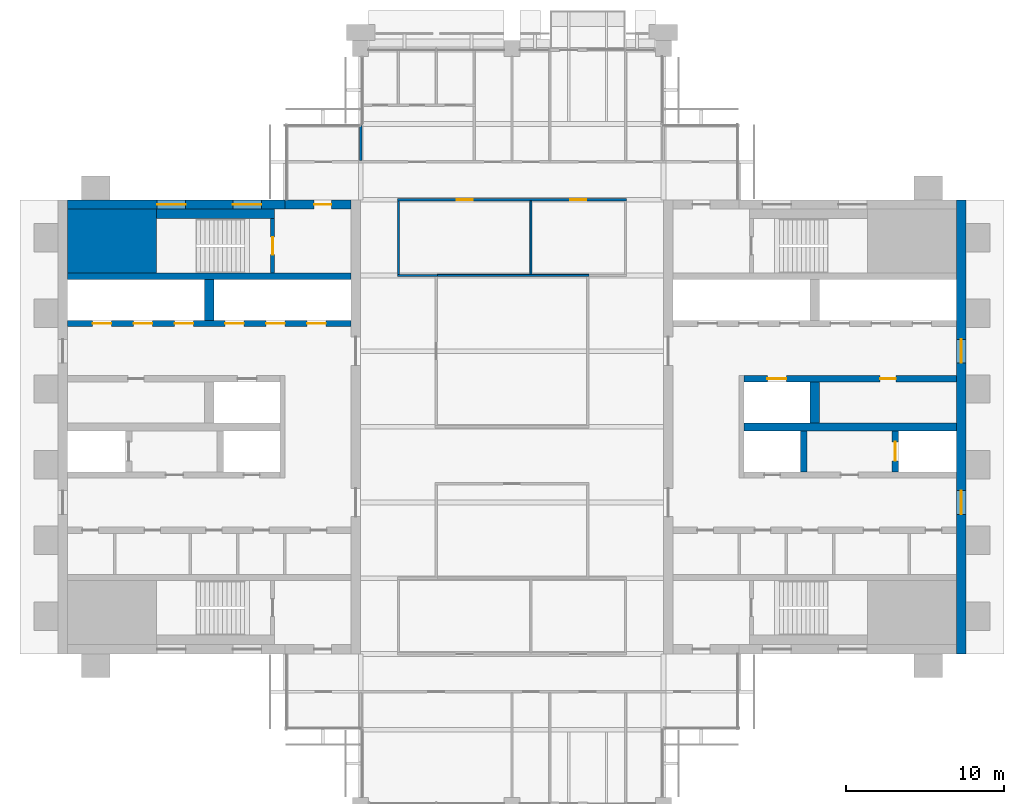
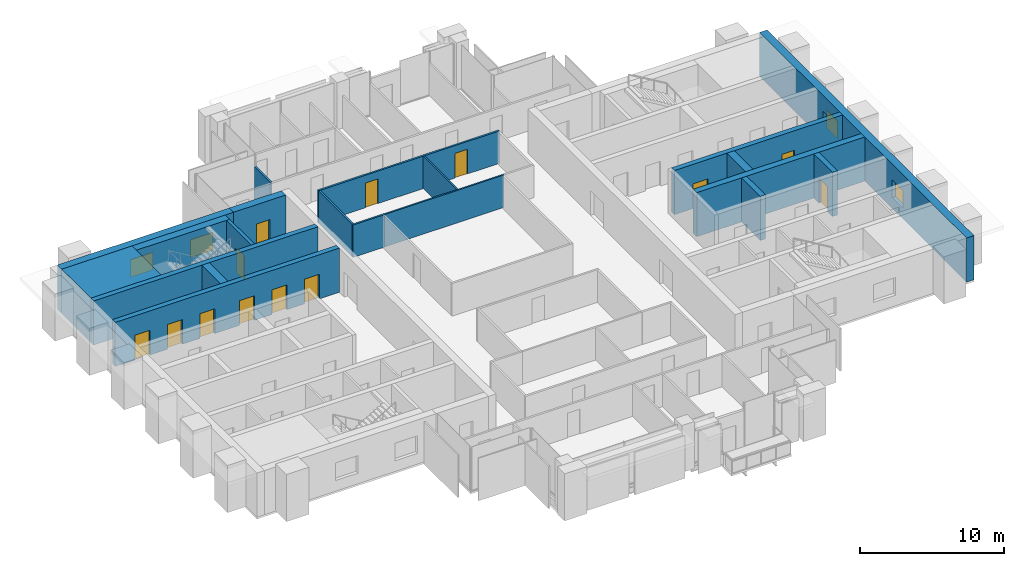
# One storey, part 10 of 13: 20 walls, 13 doors, 4 windows, 17 openings.
"""IFC4 building model written with IfcOpenShell, lengths in metres."""

import ifcopenshell
import ifcopenshell.guid

model = None  # the IFC model being written
_history = None  # IfcOwnerHistory: only IFC2X3 demands one
_inside = {}  # id of a spatial element -> (the spatial element, [elements in it])
_under = {}  # id of a project, library or spatial element -> (it, [spatial elements below it])
_declared = {}  # id of a project -> (the project, [libraries it declares])
_typed = {}  # id of a type object -> (the type object, [elements of that type])
_made_of = {}  # id of a material, layer set ... -> (it, [elements and type objects made of it])


def new_model(schema):
    """Start an empty IFC model of exactly this schema.

    Asked for "IFC4X3", IfcOpenShell would pick the latest addendum, in which some entities
    have other attributes; the version numbers below select the first issue.
    IFC2X3 requires an IfcOwnerHistory on every rooted entity: one is made here for all.
    """
    global model, _history
    if schema == "IFC4X3":
        model = ifcopenshell.file(schema_version=(4, 3, 0, 0))
    else:
        model = ifcopenshell.file(schema=schema)
    _inside.clear()
    _under.clear()
    _declared.clear()
    _typed.clear()
    _made_of.clear()
    _history = None
    if model.schema == "IFC2X3":
        org = make("IfcOrganization", Name="unknown")
        user = make(
            "IfcPersonAndOrganization",
            ThePerson=make("IfcPerson", FamilyName="unknown"),
            TheOrganization=org,
        )
        app = make(
            "IfcApplication",
            ApplicationDeveloper=org,
            Version="unknown",
            ApplicationFullName="unknown",
            ApplicationIdentifier="unknown",
        )
        _history = make(
            "IfcOwnerHistory",
            OwningUser=user,
            OwningApplication=app,
            ChangeAction="ADDED",
            CreationDate=0,
        )
    return model


def make(cls, **values):
    """One entity of the class cls with the attributes given. An attribute that is None is left unset."""
    return model.create_entity(
        cls, **{name: value for name, value in values.items() if value is not None}
    )


def rooted(cls, **values):
    """An entity with a GlobalId (a new one), such as an element, a storey or a relation."""
    return make(cls, GlobalId=ifcopenshell.guid.new(), OwnerHistory=_history, **values)


def si_unit(unit_type, name, prefix=None):
    """IfcSIUnit, for example si_unit("LENGTHUNIT", "METRE", prefix="MILLI")."""
    return make("IfcSIUnit", UnitType=unit_type, Prefix=prefix, Name=name)


def assignment(units):
    """IfcUnitAssignment: the units of a project."""
    return None if units is None else make("IfcUnitAssignment", Units=units)


def point(xyz):
    """IfcCartesianPoint."""
    return None if xyz is None else make("IfcCartesianPoint", Coordinates=xyz)


def direction(xyz):
    """IfcDirection."""
    return None if xyz is None else make("IfcDirection", DirectionRatios=xyz)


def frame(location, z_axis=None, x_axis=None):
    """IfcAxis2Placement3D, a coordinate frame: its origin and axes. An axis left out is left unset."""
    return make(
        "IfcAxis2Placement3D",
        Location=point(location),
        Axis=direction(z_axis),
        RefDirection=direction(x_axis),
    )


def frame_2d(location, x_axis=None):
    """IfcAxis2Placement2D, a coordinate frame in the plane: its origin and x axis."""
    return make(
        "IfcAxis2Placement2D", Location=point(location), RefDirection=direction(x_axis)
    )


def origin():
    """The frame at (0, 0, 0) with its axes left unset."""
    return frame((0.0, 0.0, 0.0))


def place(relative_to, where):
    """IfcLocalPlacement: puts the frame where relative to a parent placement (None: the world)."""
    return make(
        "IfcLocalPlacement", PlacementRelTo=relative_to, RelativePlacement=where
    )


def context(
    kind, dimensions, precision=None, world=None, true_north=None, identifier=None
):
    """IfcGeometricRepresentationContext, for example the 3D "Model" context."""
    return make(
        "IfcGeometricRepresentationContext",
        ContextIdentifier=identifier,
        ContextType=kind,
        CoordinateSpaceDimension=dimensions,
        Precision=precision,
        WorldCoordinateSystem=world,
        TrueNorth=true_north,
    )


def subcontext(parent, identifier, kind, view, scale=None):
    """IfcGeometricRepresentationSubContext, for example "Body" below "Model"."""
    return make(
        "IfcGeometricRepresentationSubContext",
        ContextIdentifier=identifier,
        ContextType=kind,
        ParentContext=parent,
        TargetScale=scale,
        TargetView=view,
    )


def project(units=None, contexts=None):
    """IfcProject with its units and contexts."""
    return rooted(
        "IfcProject",
        Name="project",
        RepresentationContexts=contexts,
        UnitsInContext=assignment(units),
    )


def spatial(cls, under=None, at=None, **own):
    """A site, building, storey or space (cls), placed at a placement, below another one or the project."""
    s = rooted(cls, ObjectPlacement=at, **own)
    if under is not None:
        _under.setdefault(under.id(), (under, []))[1].append(s)
    return s


def profile(cls, at=None, kind="AREA", **sizes):
    """A parametric profile (cls). Its sizes go by their IFC names, for example OverallWidth=200.0."""
    return make(cls, ProfileType=kind, Position=at, **sizes)


def rectangle(**sizes):
    """IfcRectangleProfileDef."""
    return profile("IfcRectangleProfileDef", **sizes)


def extrude(swept, where, along, depth):
    """IfcExtrudedAreaSolid: the profile swept, set in the frame where, extruded along a direction by depth."""
    return make(
        "IfcExtrudedAreaSolid",
        SweptArea=swept,
        Position=where,
        ExtrudedDirection=direction(along),
        Depth=depth,
    )


def shape(context_of_items, identifier, shape_type, items):
    """IfcShapeRepresentation: the items that make up one representation, for example the "Body"."""
    return make(
        "IfcShapeRepresentation",
        ContextOfItems=context_of_items,
        RepresentationIdentifier=identifier,
        RepresentationType=shape_type,
        Items=items,
    )


def material(Name=None, Category=None):
    """IfcMaterial."""
    return make("IfcMaterial", Name=Name, Category=Category)


def layer(
    of_material, thickness, ventilated=None, Name=None, Category=None, Priority=None
):
    """IfcMaterialLayer: one layer of a wall or slab, of a material (None: an air gap)."""
    return make(
        "IfcMaterialLayer",
        Material=of_material,
        LayerThickness=thickness,
        IsVentilated=ventilated,
        Name=Name,
        Category=Category,
        Priority=Priority,
    )


def layer_set(layers, Name=None):
    """IfcMaterialLayerSet."""
    return make("IfcMaterialLayerSet", MaterialLayers=layers, LayerSetName=Name)


def made_of(thing, what):
    """Note that an element or type object is made of a material, layer set ...; save() writes the relation."""
    if what is not None:
        _made_of.setdefault(what.id(), (what, []))[1].append(thing)
    return thing


def type_object(cls, material=None, **own):
    """A type object (cls), such as IfcWallType, which elements share."""
    return made_of(rooted(cls, **own), material)


def element(
    cls,
    number,
    at=None,
    inside=None,
    cuts=None,
    type_object=None,
    material=None,
    context=None,
    identifier="Body",
    shape_type=None,
    held_by="IfcProductDefinitionShape",
    body=None,
    shapes=None,
    **own,
):
    """One element of the class cls, such as IfcWall. Its Tag is "e" and its number.

    at: its placement. inside: the storey or other place that contains it. cuts: it is an
    opening in that element (IfcRelVoidsElement). A single representation is given by context,
    identifier, shape_type and body (its items); several are given by shapes. held_by: the class
    of the entity that holds the representations. save() writes the other relations.
    """
    e = rooted(cls, Tag="e%d" % number, ObjectPlacement=at, **own)
    if body is not None:
        shapes = [shape(context, identifier, shape_type, body)]
    if shapes is not None:
        e.Representation = make(held_by, Representations=shapes)
    if inside is not None:
        _inside.setdefault(inside.id(), (inside, []))[1].append(e)
    if cuts is not None:
        rooted(
            "IfcRelVoidsElement", RelatingBuildingElement=cuts, RelatedOpeningElement=e
        )
    if type_object is not None:
        _typed.setdefault(type_object.id(), (type_object, []))[1].append(e)
    return made_of(e, material)


def fill(opening, filler):
    """IfcRelFillsElement: the door or window that sits in an opening."""
    return rooted(
        "IfcRelFillsElement",
        RelatingOpeningElement=opening,
        RelatedBuildingElement=filler,
    )


def aggregate(whole, parts):
    """IfcRelAggregates: a whole, such as a stair, and the parts it consists of."""
    return rooted("IfcRelAggregates", RelatingObject=whole, RelatedObjects=parts)


def save(model, path):
    """Write the relations noted so far, then the file.

    IfcRelAggregates (storeys below a building ...), IfcRelContainedInSpatialStructure (elements
    in a storey), IfcRelDefinesByType, IfcRelAssociatesMaterial and IfcRelDeclares: one each for
    every whole, place, type object, material and project.
    """
    for whole, parts in _under.values():
        aggregate(whole, parts)
    for where, things in _inside.values():
        rooted(
            "IfcRelContainedInSpatialStructure",
            RelatedElements=things,
            RelatingStructure=where,
        )
    for kind, things in _typed.values():
        rooted("IfcRelDefinesByType", RelatedObjects=things, RelatingType=kind)
    for what, things in _made_of.values():
        rooted("IfcRelAssociatesMaterial", RelatedObjects=things, RelatingMaterial=what)
    for by, libraries in _declared.values():
        rooted("IfcRelDeclares", RelatingContext=by, RelatedDefinitions=libraries)
    model.write(path)


model = new_model("IFC4")

# Units and contexts
model_context = context("Model", 3, precision=1e-05, world=origin(), true_north=direction((0.0, 1.0)))
body_context = subcontext(model_context, "Body", "Model", "MODEL_VIEW")
ifc_project = project(units=[si_unit("LENGTHUNIT", "METRE"), si_unit("AREAUNIT", "SQUARE_METRE"), si_unit("VOLUMEUNIT", "CUBIC_METRE"), si_unit("PLANEANGLEUNIT", "RADIAN"), si_unit("MASSUNIT", "GRAM", prefix="KILO")], contexts=[model_context])

# Site, building, storey
site_placement = place(None, origin())
site = spatial("IfcSite", under=ifc_project, at=site_placement, CompositionType="ELEMENT")
building_placement = place(site_placement, origin())
building = spatial("IfcBuilding", under=site, at=building_placement, Name="Baori Bourse Tower", CompositionType="ELEMENT")
storey_placement = place(building_placement, frame((0.0, 0.0, 350.300048828125)))
storey = spatial("IfcBuildingStorey", under=building, at=storey_placement, Name="L78", CompositionType="ELEMENT", Elevation=350.300048828125)

# Wall
ifc_material_1 = material(Name="Concrete f'c 40 MPa", Category="concrete")
wall_type_1 = type_object("IfcWallType", Name="Core corner block f'c 40", PredefinedType="SHEAR", material=ifc_material_1)
wall_1_placement = place(storey_placement, frame((0.60009765625, 35.77490234375, 0.0), z_axis=(0.0, 0.0, 1.0), x_axis=(1.0, 0.0, 0.0)))
element("IfcWall", 1, at=wall_1_placement, inside=storey, type_object=wall_type_1, Name="Core wall W24", PredefinedType="SHEAR", context=body_context, shape_type="SweptSolid", body=[
    extrude(rectangle(XDim=5.64990234375, YDim=4.050048828125, at=frame_2d((2.824951171875, 0.0))), origin(), (0.0, 0.0, 1.0), 3.75),
])

# Wall, openings, windows
ifc_material_2 = material(Name="Concrete f'c 40 MPa", Category="concrete")
ifc_layer_1 = layer(ifc_material_2, 0.60009765625)
ifc_layer_set_1 = layer_set([ifc_layer_1], Name="Core wall 600 f'c 40")
wall_type_2 = type_object("IfcWallType", Name="Core wall 600 f'c 40", PredefinedType="SHEAR", material=ifc_layer_set_1)
wall_2_placement = place(storey_placement, frame((0.60009765625, 38.10009765625, 0.0), z_axis=(0.0, 0.0, 1.0), x_axis=(1.0, 0.0, 0.0)))
wall_2 = element("IfcWall", 2, at=wall_2_placement, inside=storey, type_object=wall_type_2, Name="Core wall W27", PredefinedType="SHEAR", context=body_context, shape_type="SweptSolid", body=[
    extrude(rectangle(XDim=13.7998046875, YDim=0.60009765625, at=frame_2d((6.89990234375, 0.0))), origin(), (0.0, 0.0, 1.0), 3.75),
])
opening_1_placement = place(wall_2_placement, frame((5.699951171875, 0.0, 0.89990234375)))
opening_1 = element("IfcOpeningElement", 3, at=opening_1_placement, cuts=wall_2, Name="Opening L78-KW105", PredefinedType="OPENING", context=body_context, shape_type="SweptSolid", body=[
    extrude(rectangle(XDim=1.800048828125, YDim=1.5, at=frame_2d((0.89990234375, 0.75))), frame((0.0, 0.31005859375, 0.0), z_axis=(0.0, -1.0, 0.0), x_axis=(1.0, 0.0, 0.0)), (0.0, 0.0, 1.0), 0.6201171875),
])
opening_2_placement = place(wall_2_placement, frame((10.5, 0.0, 0.89990234375)))
opening_2 = element("IfcOpeningElement", 4, at=opening_2_placement, cuts=wall_2, Name="Opening L78-KW106", PredefinedType="OPENING", context=body_context, shape_type="SweptSolid", body=[
    extrude(rectangle(XDim=1.800048828125, YDim=1.5, at=frame_2d((0.89990234375, 0.75))), frame((0.0, 0.31005859375, 0.0), z_axis=(0.0, -1.0, 0.0), x_axis=(1.0, 0.0, 0.0)), (0.0, 0.0, 1.0), 0.6201171875),
])
ifc_material_3 = material(Name="Pale anodised aluminium", Category="aluminium")
window_type_1 = type_object("IfcWindowType", Name="Stair window 1800 x 1500", PartitioningType="SINGLE_PANEL", PredefinedType="WINDOW", material=ifc_material_3)
window_1_placement = place(opening_1_placement, origin())
window_1 = element("IfcWindow", 5, at=window_1_placement, inside=storey, type_object=window_type_1, Name="Stair window W L78 5", OverallHeight=1.5, OverallWidth=1.800048828125, PartitioningType="SINGLE_PANEL", PredefinedType="WINDOW", context=body_context, shape_type="SweptSolid", body=[
    extrude(rectangle(XDim=1.800048828125, YDim=1.5, at=frame_2d((0.89990234375, 0.75))), frame((0.0, 0.030029296875, 0.0), z_axis=(0.0, -1.0, 0.0), x_axis=(1.0, 0.0, 0.0)), (0.0, 0.0, 1.0), 0.06005859375),
])
fill(opening_1, window_1)
window_2_placement = place(opening_2_placement, origin())
window_2 = element("IfcWindow", 6, at=window_2_placement, inside=storey, type_object=window_type_1, Name="Stair window W L78 6", OverallHeight=1.5, OverallWidth=1.800048828125, PartitioningType="SINGLE_PANEL", PredefinedType="WINDOW", context=body_context, shape_type="SweptSolid", body=[
    extrude(rectangle(XDim=1.800048828125, YDim=1.5, at=frame_2d((0.89990234375, 0.75))), frame((0.0, 0.030029296875, 0.0), z_axis=(0.0, -1.0, 0.0), x_axis=(1.0, 0.0, 0.0)), (0.0, 0.0, 1.0), 0.06005859375),
])
fill(opening_2, window_2)

# Wall, opening, door
wall_3_placement = place(storey_placement, frame((14.39990234375, 38.10009765625, 0.0), z_axis=(0.0, 0.0, 1.0), x_axis=(1.0, 0.0, 0.0)))
wall_3 = element("IfcWall", 7, at=wall_3_placement, inside=storey, type_object=wall_type_2, Name="Core wall W28", PredefinedType="SHEAR", context=body_context, shape_type="SweptSolid", body=[
    extrude(rectangle(XDim=4.2001953125, YDim=0.60009765625, at=frame_2d((2.10009765625, 0.0))), origin(), (0.0, 0.0, 1.0), 3.75),
])
opening_3_placement = place(wall_3_placement, frame((1.85009765625, 0.0, 0.0)))
opening_3 = element("IfcOpeningElement", 8, at=opening_3_placement, cuts=wall_3, Name="Opening L78-D104", PredefinedType="OPENING", context=body_context, shape_type="SweptSolid", body=[
    extrude(rectangle(XDim=1.10009765625, YDim=2.10009765625, at=frame_2d((0.550048828125, 1.050048828125))), frame((0.0, 0.31005859375, 0.0), z_axis=(0.0, -1.0, 0.0), x_axis=(1.0, 0.0, 0.0)), (0.0, 0.0, 1.0), 0.6201171875),
])
ifc_material_4 = material(Name="Painted steel door", Category="steel")
door_type_1 = type_object("IfcDoorType", Name="Stair door 1100", OperationType="SINGLE_SWING_LEFT", PredefinedType="DOOR", material=ifc_material_4)
door_1_placement = place(opening_3_placement, origin())
door_1 = element("IfcDoor", 9, at=door_1_placement, inside=storey, type_object=door_type_1, Name="Stair vestibule door B W L78", OperationType="SINGLE_SWING_LEFT", OverallHeight=2.10009765625, OverallWidth=1.10009765625, PredefinedType="DOOR", context=body_context, shape_type="SweptSolid", body=[
    extrude(rectangle(XDim=1.10009765625, YDim=2.10009765625, at=frame_2d((0.550048828125, 1.050048828125))), frame((0.0, 0.02490234375, 0.0), z_axis=(0.0, -1.0, 0.0), x_axis=(1.0, 0.0, 0.0)), (0.0, 0.0, 1.0), 0.050048828125),
])
fill(opening_3, door_1)

# Wall, openings, windows
wall_4_placement = place(storey_placement, frame((57.300048828125, 38.39990234375, 0.0), z_axis=(0.0, 0.0, 1.0), x_axis=(0.0, -1.0, 0.0)))
wall_4 = element("IfcWall", 10, at=wall_4_placement, inside=storey, type_object=wall_type_2, Name="Core wall E01", PredefinedType="SHEAR", context=body_context, shape_type="SweptSolid", body=[
    extrude(rectangle(XDim=28.7998046875, YDim=0.60009765625, at=frame_2d((14.39990234375, 0.0))), origin(), (0.0, 0.0, 1.0), 3.75),
])
opening_4_placement = place(wall_4_placement, frame((18.449951171875, 0.0, 0.89990234375)))
opening_4 = element("IfcOpeningElement", 11, at=opening_4_placement, cuts=wall_4, Name="Opening L78-KW201", PredefinedType="OPENING", context=body_context, shape_type="SweptSolid", body=[
    extrude(rectangle(XDim=1.5, YDim=1.5, at=frame_2d((0.75, 0.75))), frame((0.0, 0.31005859375, 0.0), z_axis=(0.0, -1.0, 0.0), x_axis=(1.0, 0.0, 0.0)), (0.0, 0.0, 1.0), 0.6201171875),
])
opening_5_placement = place(wall_4_placement, frame((8.85009765625, 0.0, 0.89990234375)))
opening_5 = element("IfcOpeningElement", 12, at=opening_5_placement, cuts=wall_4, Name="Opening L78-KW202", PredefinedType="OPENING", context=body_context, shape_type="SweptSolid", body=[
    extrude(rectangle(XDim=1.5, YDim=1.5, at=frame_2d((0.75, 0.75))), frame((0.0, 0.31005859375, 0.0), z_axis=(0.0, -1.0, 0.0), x_axis=(1.0, 0.0, 0.0)), (0.0, 0.0, 1.0), 0.6201171875),
])
ifc_material_5 = material(Name="Pale anodised aluminium", Category="aluminium")
window_type_2 = type_object("IfcWindowType", Name="Lobby window 1500 x 1500", PartitioningType="SINGLE_PANEL", PredefinedType="WINDOW", material=ifc_material_5)
window_3_placement = place(opening_4_placement, origin())
window_3 = element("IfcWindow", 13, at=window_3_placement, inside=storey, type_object=window_type_2, Name="Outer wall window E L78 1", OverallHeight=1.5, OverallWidth=1.5, PartitioningType="SINGLE_PANEL", PredefinedType="WINDOW", context=body_context, shape_type="SweptSolid", body=[
    extrude(rectangle(XDim=1.5, YDim=1.5, at=frame_2d((0.75, 0.75))), frame((0.0, 0.030029296875, 0.0), z_axis=(0.0, -1.0, 0.0), x_axis=(1.0, 0.0, 0.0)), (0.0, 0.0, 1.0), 0.06005859375),
])
fill(opening_4, window_3)
window_4_placement = place(opening_5_placement, origin())
window_4 = element("IfcWindow", 14, at=window_4_placement, inside=storey, type_object=window_type_2, Name="Outer wall window E L78 2", OverallHeight=1.5, OverallWidth=1.5, PartitioningType="SINGLE_PANEL", PredefinedType="WINDOW", context=body_context, shape_type="SweptSolid", body=[
    extrude(rectangle(XDim=1.5, YDim=1.5, at=frame_2d((0.75, 0.75))), frame((0.0, 0.030029296875, 0.0), z_axis=(0.0, -1.0, 0.0), x_axis=(1.0, 0.0, 0.0)), (0.0, 0.0, 1.0), 0.06005859375),
])
fill(opening_5, window_4)

# Wall
ifc_material_6 = material(Name="Gypsum board partition")
ifc_layer_2 = layer(ifc_material_6, 0.14990234375)
ifc_layer_set_2 = layer_set([ifc_layer_2], Name="Corridor partition 150")
wall_type_3 = type_object("IfcWallType", Name="Corridor partition 150", PredefinedType="PARTITIONING", material=ifc_layer_set_2)
wall_5_placement = place(storey_placement, frame((21.52490234375, 33.60009765625, 0.0), z_axis=(0.0, 0.0, 1.0), x_axis=(1.0, 0.0, 0.0)))
element("IfcWall", 15, at=wall_5_placement, inside=storey, type_object=wall_type_3, Name="Partition", PredefinedType="PARTITIONING", context=body_context, shape_type="SweptSolid", body=[
    extrude(rectangle(XDim=2.550048828125, YDim=0.14990234375, at=frame_2d((1.27490234375, 0.0))), origin(), (0.0, 0.0, 1.0), 2.75927734375),
])

# Wall, openings, doors
wall_6_placement = place(storey_placement, frame((21.52490234375, 38.39990234375, 0.0), z_axis=(0.0, 0.0, 1.0), x_axis=(1.0, 0.0, 0.0)))
wall_6 = element("IfcWall", 16, at=wall_6_placement, inside=storey, type_object=wall_type_3, Name="Partition", PredefinedType="PARTITIONING", context=body_context, shape_type="SweptSolid", body=[
    extrude(rectangle(XDim=14.550048828125, YDim=0.14990234375, at=frame_2d((7.27490234375, 0.0))), origin(), (0.0, 0.0, 1.0), 2.75927734375),
])
opening_6_placement = place(wall_6_placement, frame((3.77490234375, 0.0, 0.0)))
opening_6 = element("IfcOpeningElement", 17, at=opening_6_placement, cuts=wall_6, Name="Opening L78-D09", PredefinedType="OPENING", context=body_context, shape_type="SweptSolid", body=[
    extrude(rectangle(XDim=1.0, YDim=2.10009765625, at=frame_2d((0.5, 1.050048828125))), frame((0.0, 0.0849609375, 0.0), z_axis=(0.0, -1.0, 0.0), x_axis=(1.0, 0.0, 0.0)), (0.0, 0.0, 1.0), 0.169921875),
])
opening_7_placement = place(wall_6_placement, frame((10.97509765625, 0.0, 0.0)))
opening_7 = element("IfcOpeningElement", 18, at=opening_7_placement, cuts=wall_6, Name="Opening L78-D10", PredefinedType="OPENING", context=body_context, shape_type="SweptSolid", body=[
    extrude(rectangle(XDim=1.0, YDim=2.10009765625, at=frame_2d((0.5, 1.050048828125))), frame((0.0, 0.0849609375, 0.0), z_axis=(0.0, -1.0, 0.0), x_axis=(1.0, 0.0, 0.0)), (0.0, 0.0, 1.0), 0.169921875),
])
ifc_material_7 = material(Name="Timber door leaf", Category="wood")
door_type_2 = type_object("IfcDoorType", Name="Door 1000 x 2100", OperationType="SINGLE_SWING_LEFT", PredefinedType="DOOR", material=ifc_material_7)
door_2_placement = place(opening_6_placement, origin())
door_2 = element("IfcDoor", 19, at=door_2_placement, inside=storey, type_object=door_type_2, Name="Door", OperationType="SINGLE_SWING_LEFT", OverallHeight=2.10009765625, OverallWidth=1.0, PredefinedType="DOOR", context=body_context, shape_type="SweptSolid", body=[
    extrude(rectangle(XDim=1.0, YDim=2.10009765625, at=frame_2d((0.5, 1.050048828125))), frame((0.0, 0.02490234375, 0.0), z_axis=(0.0, -1.0, 0.0), x_axis=(1.0, 0.0, 0.0)), (0.0, 0.0, 1.0), 0.050048828125),
])
fill(opening_6, door_2)
door_3_placement = place(opening_7_placement, origin())
door_3 = element("IfcDoor", 20, at=door_3_placement, inside=storey, type_object=door_type_2, Name="Door", OperationType="SINGLE_SWING_RIGHT", OverallHeight=2.10009765625, OverallWidth=1.0, PredefinedType="DOOR", context=body_context, shape_type="SweptSolid", body=[
    extrude(rectangle(XDim=1.0, YDim=2.10009765625, at=frame_2d((0.5, 1.050048828125))), frame((0.0, 0.02490234375, 0.0), z_axis=(0.0, -1.0, 0.0), x_axis=(1.0, 0.0, 0.0)), (0.0, 0.0, 1.0), 0.050048828125),
])
fill(opening_7, door_3)

# Walls
wall_7_placement = place(storey_placement, frame((19.199951171875, 40.875, 0.0), z_axis=(0.0, 0.0, 1.0), x_axis=(0.0, 1.0, 0.0)))
element("IfcWall", 21, at=wall_7_placement, inside=storey, type_object=wall_type_3, Name="Partition", PredefinedType="PARTITIONING", context=body_context, shape_type="SweptSolid", body=[
    extrude(rectangle(XDim=2.22509765625, YDim=0.14990234375, at=frame_2d((1.112548828125, 0.0))), origin(), (0.0, 0.0, 1.0), 2.75927734375),
])
wall_8_placement = place(storey_placement, frame((21.60009765625, 33.675048828125, 0.0), z_axis=(0.0, 0.0, 1.0), x_axis=(0.0, 1.0, 0.0)))
element("IfcWall", 22, at=wall_8_placement, inside=storey, type_object=wall_type_3, Name="Partition", PredefinedType="PARTITIONING", context=body_context, shape_type="SweptSolid", body=[
    extrude(rectangle(XDim=4.64990234375, YDim=0.14990234375, at=frame_2d((2.324951171875, 0.0))), origin(), (0.0, 0.0, 1.0), 2.75927734375),
])
ifc_material_8 = material(Name="Gypsum board partition")
ifc_layer_3 = layer(ifc_material_8, 0.125)
ifc_layer_set_3 = layer_set([ifc_layer_3], Name="Partition 125")
wall_type_4 = type_object("IfcWallType", Name="Partition 125", PredefinedType="PARTITIONING", material=ifc_layer_set_3)
wall_9_placement = place(storey_placement, frame((24.074951171875, 33.60009765625, 0.0), z_axis=(0.0, 0.0, 1.0), x_axis=(1.0, 0.0, 0.0)))
element("IfcWall", 23, at=wall_9_placement, inside=storey, type_object=wall_type_4, Name="Partition", PredefinedType="PARTITIONING", context=body_context, shape_type="SweptSolid", body=[
    extrude(rectangle(XDim=9.60009765625, YDim=0.125, at=frame_2d((4.800048828125, 0.0))), origin(), (0.0, 0.0, 1.0), 2.75927734375),
])
wall_10_placement = place(storey_placement, frame((30.0, 33.66259765625, 0.0), z_axis=(0.0, 0.0, 1.0), x_axis=(0.0, 1.0, 0.0)))
element("IfcWall", 24, at=wall_10_placement, inside=storey, type_object=wall_type_4, Name="Partition", PredefinedType="PARTITIONING", context=body_context, shape_type="SweptSolid", body=[
    extrude(rectangle(XDim=4.662353515625, YDim=0.125, at=frame_2d((2.3310546875, 0.0))), origin(), (0.0, 0.0, 1.0), 2.75927734375),
])

# Wall, opening, door
ifc_material_9 = material(Name="Concrete f'c 40 MPa", Category="concrete")
ifc_layer_4 = layer(ifc_material_9, 0.25)
ifc_layer_set_4 = layer_set([ifc_layer_4], Name="Shaft wall 250 f'c 40")
wall_type_5 = type_object("IfcWallType", Name="Shaft wall 250 f'c 40", PredefinedType="SHEAR", material=ifc_layer_set_4)
wall_11_placement = place(storey_placement, frame((13.625, 33.75, 0.0), z_axis=(0.0, 0.0, 1.0), x_axis=(0.0, 1.0, 0.0)))
wall_11 = element("IfcWall", 25, at=wall_11_placement, inside=storey, type_object=wall_type_5, Name="Core wall W25", PredefinedType="SHEAR", context=body_context, shape_type="SweptSolid", body=[
    extrude(rectangle(XDim=3.449951171875, YDim=0.25, at=frame_2d((1.72509765625, 0.0))), origin(), (0.0, 0.0, 1.0), 3.75),
])
opening_8_placement = place(wall_11_placement, frame((1.175048828125, 0.0, 0.0)))
opening_8 = element("IfcOpeningElement", 26, at=opening_8_placement, cuts=wall_11, Name="Opening L78-D103", PredefinedType="OPENING", context=body_context, shape_type="SweptSolid", body=[
    extrude(rectangle(XDim=1.10009765625, YDim=2.10009765625, at=frame_2d((0.550048828125, 1.050048828125))), frame((0.0, 0.135009765625, 0.0), z_axis=(0.0, -1.0, 0.0), x_axis=(1.0, 0.0, 0.0)), (0.0, 0.0, 1.0), 0.27001953125),
])
door_4_placement = place(opening_8_placement, origin())
door_4 = element("IfcDoor", 27, at=door_4_placement, inside=storey, type_object=door_type_1, Name="Stair door B W L78", OperationType="SINGLE_SWING_LEFT", OverallHeight=2.10009765625, OverallWidth=1.10009765625, PredefinedType="DOOR", context=body_context, shape_type="SweptSolid", body=[
    extrude(rectangle(XDim=1.10009765625, YDim=2.10009765625, at=frame_2d((0.550048828125, 1.050048828125))), frame((0.0, 0.02490234375, 0.0), z_axis=(0.0, -1.0, 0.0), x_axis=(1.0, 0.0, 0.0)), (0.0, 0.0, 1.0), 0.050048828125),
])
fill(opening_8, door_4)

# Wall, openings, doors
ifc_material_10 = material(Name="Concrete f'c 40 MPa", Category="concrete")
ifc_layer_5 = layer(ifc_material_10, 0.39990234375)
ifc_layer_set_5 = layer_set([ifc_layer_5], Name="Shaft wall 400 f'c 40")
wall_type_6 = type_object("IfcWallType", Name="Shaft wall 400 f'c 40", PredefinedType="SHEAR", material=ifc_layer_set_5)
wall_12_placement = place(storey_placement, frame((0.60009765625, 30.550048828125, 0.0), z_axis=(0.0, 0.0, 1.0), x_axis=(1.0, 0.0, 0.0)))
wall_12 = element("IfcWall", 28, at=wall_12_placement, inside=storey, type_object=wall_type_6, Name="Core wall W21", PredefinedType="SHEAR", context=body_context, shape_type="SweptSolid", body=[
    extrude(rectangle(XDim=18.0, YDim=0.39990234375, at=frame_2d((9.0, 0.0))), origin(), (0.0, 0.0, 1.0), 3.75),
])
opening_9_placement = place(wall_12_placement, frame((1.60009765625, 0.0, 0.0)))
opening_9 = element("IfcOpeningElement", 29, at=opening_9_placement, cuts=wall_12, Name="Opening L78-D115", PredefinedType="OPENING", context=body_context, shape_type="SweptSolid", body=[
    extrude(rectangle(XDim=1.199951171875, YDim=2.10009765625, at=frame_2d((0.60009765625, 1.050048828125))), frame((0.0, 0.2099609375, 0.0), z_axis=(0.0, -1.0, 0.0), x_axis=(1.0, 0.0, 0.0)), (0.0, 0.0, 1.0), 0.419921875),
])
opening_10_placement = place(wall_12_placement, frame((4.199951171875, 0.0, 0.0)))
opening_10 = element("IfcOpeningElement", 30, at=opening_10_placement, cuts=wall_12, Name="Opening L78-D116", PredefinedType="OPENING", context=body_context, shape_type="SweptSolid", body=[
    extrude(rectangle(XDim=1.199951171875, YDim=2.10009765625, at=frame_2d((0.60009765625, 1.050048828125))), frame((0.0, 0.2099609375, 0.0), z_axis=(0.0, -1.0, 0.0), x_axis=(1.0, 0.0, 0.0)), (0.0, 0.0, 1.0), 0.419921875),
])
opening_11_placement = place(wall_12_placement, frame((6.800048828125, 0.0, 0.0)))
opening_11 = element("IfcOpeningElement", 31, at=opening_11_placement, cuts=wall_12, Name="Opening L78-D117", PredefinedType="OPENING", context=body_context, shape_type="SweptSolid", body=[
    extrude(rectangle(XDim=1.199951171875, YDim=2.10009765625, at=frame_2d((0.60009765625, 1.050048828125))), frame((0.0, 0.2099609375, 0.0), z_axis=(0.0, -1.0, 0.0), x_axis=(1.0, 0.0, 0.0)), (0.0, 0.0, 1.0), 0.419921875),
])
opening_12_placement = place(wall_12_placement, frame((10.0, 0.0, 0.0)))
opening_12 = element("IfcOpeningElement", 32, at=opening_12_placement, cuts=wall_12, Name="Opening L78-D118", PredefinedType="OPENING", context=body_context, shape_type="SweptSolid", body=[
    extrude(rectangle(XDim=1.199951171875, YDim=2.10009765625, at=frame_2d((0.60009765625, 1.050048828125))), frame((0.0, 0.2099609375, 0.0), z_axis=(0.0, -1.0, 0.0), x_axis=(1.0, 0.0, 0.0)), (0.0, 0.0, 1.0), 0.419921875),
])
opening_13_placement = place(wall_12_placement, frame((12.60009765625, 0.0, 0.0)))
opening_13 = element("IfcOpeningElement", 33, at=opening_13_placement, cuts=wall_12, Name="Opening L78-D119", PredefinedType="OPENING", context=body_context, shape_type="SweptSolid", body=[
    extrude(rectangle(XDim=1.199951171875, YDim=2.10009765625, at=frame_2d((0.60009765625, 1.050048828125))), frame((0.0, 0.2099609375, 0.0), z_axis=(0.0, -1.0, 0.0), x_axis=(1.0, 0.0, 0.0)), (0.0, 0.0, 1.0), 0.419921875),
])
opening_14_placement = place(wall_12_placement, frame((15.199951171875, 0.0, 0.0)))
opening_14 = element("IfcOpeningElement", 34, at=opening_14_placement, cuts=wall_12, Name="Opening L78-D120", PredefinedType="OPENING", context=body_context, shape_type="SweptSolid", body=[
    extrude(rectangle(XDim=1.199951171875, YDim=2.10009765625, at=frame_2d((0.60009765625, 1.050048828125))), frame((0.0, 0.2099609375, 0.0), z_axis=(0.0, -1.0, 0.0), x_axis=(1.0, 0.0, 0.0)), (0.0, 0.0, 1.0), 0.419921875),
])
ifc_material_11 = material(Name="Stainless steel door", Category="steel")
door_type_3 = type_object("IfcDoorType", Name="Lift landing door", OperationType="DOUBLE_DOOR_SLIDING", PredefinedType="DOOR", material=ifc_material_11)
door_5_placement = place(opening_9_placement, origin())
door_5 = element("IfcDoor", 35, at=door_5_placement, inside=storey, type_object=door_type_3, Name="Lift landing door HR1 W L78", OperationType="DOUBLE_DOOR_SLIDING", OverallHeight=2.10009765625, OverallWidth=1.199951171875, PredefinedType="DOOR", context=body_context, shape_type="SweptSolid", body=[
    extrude(rectangle(XDim=1.199951171875, YDim=2.10009765625, at=frame_2d((0.60009765625, 1.050048828125))), frame((0.0, 0.02490234375, 0.0), z_axis=(0.0, -1.0, 0.0), x_axis=(1.0, 0.0, 0.0)), (0.0, 0.0, 1.0), 0.050048828125),
])
fill(opening_9, door_5)
door_6_placement = place(opening_10_placement, origin())
door_6 = element("IfcDoor", 36, at=door_6_placement, inside=storey, type_object=door_type_3, Name="Lift landing door HR2 W L78", OperationType="DOUBLE_DOOR_SLIDING", OverallHeight=2.10009765625, OverallWidth=1.199951171875, PredefinedType="DOOR", context=body_context, shape_type="SweptSolid", body=[
    extrude(rectangle(XDim=1.199951171875, YDim=2.10009765625, at=frame_2d((0.60009765625, 1.050048828125))), frame((0.0, 0.02490234375, 0.0), z_axis=(0.0, -1.0, 0.0), x_axis=(1.0, 0.0, 0.0)), (0.0, 0.0, 1.0), 0.050048828125),
])
fill(opening_10, door_6)
door_7_placement = place(opening_11_placement, origin())
door_7 = element("IfcDoor", 37, at=door_7_placement, inside=storey, type_object=door_type_3, Name="Lift landing door HR3 W L78", OperationType="DOUBLE_DOOR_SLIDING", OverallHeight=2.10009765625, OverallWidth=1.199951171875, PredefinedType="DOOR", context=body_context, shape_type="SweptSolid", body=[
    extrude(rectangle(XDim=1.199951171875, YDim=2.10009765625, at=frame_2d((0.60009765625, 1.050048828125))), frame((0.0, 0.02490234375, 0.0), z_axis=(0.0, -1.0, 0.0), x_axis=(1.0, 0.0, 0.0)), (0.0, 0.0, 1.0), 0.050048828125),
])
fill(opening_11, door_7)
door_8_placement = place(opening_12_placement, origin())
door_8 = element("IfcDoor", 38, at=door_8_placement, inside=storey, type_object=door_type_3, Name="Lift landing door HR4 W L78", OperationType="DOUBLE_DOOR_SLIDING", OverallHeight=2.10009765625, OverallWidth=1.199951171875, PredefinedType="DOOR", context=body_context, shape_type="SweptSolid", body=[
    extrude(rectangle(XDim=1.199951171875, YDim=2.10009765625, at=frame_2d((0.60009765625, 1.050048828125))), frame((0.0, 0.02490234375, 0.0), z_axis=(0.0, -1.0, 0.0), x_axis=(1.0, 0.0, 0.0)), (0.0, 0.0, 1.0), 0.050048828125),
])
fill(opening_12, door_8)
door_9_placement = place(opening_13_placement, origin())
door_9 = element("IfcDoor", 39, at=door_9_placement, inside=storey, type_object=door_type_3, Name="Lift landing door HR5 W L78", OperationType="DOUBLE_DOOR_SLIDING", OverallHeight=2.10009765625, OverallWidth=1.199951171875, PredefinedType="DOOR", context=body_context, shape_type="SweptSolid", body=[
    extrude(rectangle(XDim=1.199951171875, YDim=2.10009765625, at=frame_2d((0.60009765625, 1.050048828125))), frame((0.0, 0.02490234375, 0.0), z_axis=(0.0, -1.0, 0.0), x_axis=(1.0, 0.0, 0.0)), (0.0, 0.0, 1.0), 0.050048828125),
])
fill(opening_13, door_9)
door_10_placement = place(opening_14_placement, origin())
door_10 = element("IfcDoor", 40, at=door_10_placement, inside=storey, type_object=door_type_3, Name="Lift landing door HR6 W L78", OperationType="DOUBLE_DOOR_SLIDING", OverallHeight=2.10009765625, OverallWidth=1.199951171875, PredefinedType="DOOR", context=body_context, shape_type="SweptSolid", body=[
    extrude(rectangle(XDim=1.199951171875, YDim=2.10009765625, at=frame_2d((0.60009765625, 1.050048828125))), frame((0.0, 0.02490234375, 0.0), z_axis=(0.0, -1.0, 0.0), x_axis=(1.0, 0.0, 0.0)), (0.0, 0.0, 1.0), 0.050048828125),
])
fill(opening_14, door_10)

# Wall
wall_13_placement = place(storey_placement, frame((0.60009765625, 33.550048828125, 0.0), z_axis=(0.0, 0.0, 1.0), x_axis=(1.0, 0.0, 0.0)))
element("IfcWall", 41, at=wall_13_placement, inside=storey, type_object=wall_type_6, Name="Core wall W23", PredefinedType="SHEAR", context=body_context, shape_type="SweptSolid", body=[
    extrude(rectangle(XDim=18.0, YDim=0.39990234375, at=frame_2d((9.0, 0.0))), origin(), (0.0, 0.0, 1.0), 3.75),
])

# Wall, opening, door
wall_14_placement = place(storey_placement, frame((53.10009765625, 21.14990234375, 0.0), z_axis=(0.0, 0.0, 1.0), x_axis=(0.0, 1.0, 0.0)))
wall_14 = element("IfcWall", 42, at=wall_14_placement, inside=storey, type_object=wall_type_6, Name="Core wall E16", PredefinedType="SHEAR", context=body_context, shape_type="SweptSolid", body=[
    extrude(rectangle(XDim=2.60009765625, YDim=0.39990234375, at=frame_2d((1.300048828125, 0.0))), origin(), (0.0, 0.0, 1.0), 3.75),
])
opening_15_placement = place(wall_14_placement, frame((0.699951171875, 0.0, 0.0)))
opening_15 = element("IfcOpeningElement", 43, at=opening_15_placement, cuts=wall_14, Name="Opening L78-D222", PredefinedType="OPENING", context=body_context, shape_type="SweptSolid", body=[
    extrude(rectangle(XDim=1.199951171875, YDim=2.10009765625, at=frame_2d((0.60009765625, 1.050048828125))), frame((0.0, 0.2099609375, 0.0), z_axis=(0.0, -1.0, 0.0), x_axis=(1.0, 0.0, 0.0)), (0.0, 0.0, 1.0), 0.419921875),
])
door_11_placement = place(opening_15_placement, origin())
door_11 = element("IfcDoor", 44, at=door_11_placement, inside=storey, type_object=door_type_3, Name="Lift landing door FF2 E L78", OperationType="DOUBLE_DOOR_SLIDING", OverallHeight=2.10009765625, OverallWidth=1.199951171875, PredefinedType="DOOR", context=body_context, shape_type="SweptSolid", body=[
    extrude(rectangle(XDim=1.199951171875, YDim=2.10009765625, at=frame_2d((0.60009765625, 1.050048828125))), frame((0.0, 0.02490234375, 0.0), z_axis=(0.0, -1.0, 0.0), x_axis=(1.0, 0.0, 0.0)), (0.0, 0.0, 1.0), 0.050048828125),
])
fill(opening_15, door_11)

# Wall
wall_15_placement = place(storey_placement, frame((47.300048828125, 21.14990234375, 0.0), z_axis=(0.0, 0.0, 1.0), x_axis=(0.0, 1.0, 0.0)))
element("IfcWall", 45, at=wall_15_placement, inside=storey, type_object=wall_type_6, Name="Core wall E17", PredefinedType="SHEAR", context=body_context, shape_type="SweptSolid", body=[
    extrude(rectangle(XDim=2.60009765625, YDim=0.39990234375, at=frame_2d((1.300048828125, 0.0))), origin(), (0.0, 0.0, 1.0), 3.75),
])

# Wall, openings, doors
wall_16_placement = place(storey_placement, frame((43.5, 27.050048828125, 0.0), z_axis=(0.0, 0.0, 1.0), x_axis=(1.0, 0.0, 0.0)))
wall_16 = element("IfcWall", 46, at=wall_16_placement, inside=storey, type_object=wall_type_6, Name="Core wall E20", PredefinedType="SHEAR", context=body_context, shape_type="SweptSolid", body=[
    extrude(rectangle(XDim=13.5, YDim=0.39990234375, at=frame_2d((6.75, 0.0))), origin(), (0.0, 0.0, 1.0), 3.75),
])
opening_16_placement = place(wall_16_placement, frame((8.64990234375, 0.0, 0.0)))
opening_16 = element("IfcOpeningElement", 47, at=opening_16_placement, cuts=wall_16, Name="Opening L78-D214", PredefinedType="OPENING", context=body_context, shape_type="SweptSolid", body=[
    extrude(rectangle(XDim=1.0, YDim=2.10009765625, at=frame_2d((0.5, 1.050048828125))), frame((0.0, 0.2099609375, 0.0), z_axis=(0.0, -1.0, 0.0), x_axis=(1.0, 0.0, 0.0)), (0.0, 0.0, 1.0), 0.419921875),
])
opening_17_placement = place(wall_16_placement, frame((1.5, 0.0, 0.0)))
opening_17 = element("IfcOpeningElement", 48, at=opening_17_placement, cuts=wall_16, Name="Opening L78-D221", PredefinedType="OPENING", context=body_context, shape_type="SweptSolid", body=[
    extrude(rectangle(XDim=1.199951171875, YDim=2.10009765625, at=frame_2d((0.60009765625, 1.050048828125))), frame((0.0, 0.2099609375, 0.0), z_axis=(0.0, -1.0, 0.0), x_axis=(1.0, 0.0, 0.0)), (0.0, 0.0, 1.0), 0.419921875),
])
ifc_material_12 = material(Name="Painted steel door", Category="steel")
door_type_4 = type_object("IfcDoorType", Name="Core door 1000", OperationType="SINGLE_SWING_LEFT", PredefinedType="DOOR", material=ifc_material_12)
door_12_placement = place(opening_16_placement, origin())
door_12 = element("IfcDoor", 49, at=door_12_placement, inside=storey, type_object=door_type_4, Name="Pantry door E L78", OperationType="SINGLE_SWING_LEFT", OverallHeight=2.10009765625, OverallWidth=1.0, PredefinedType="DOOR", context=body_context, shape_type="SweptSolid", body=[
    extrude(rectangle(XDim=1.0, YDim=2.10009765625, at=frame_2d((0.5, 1.050048828125))), frame((0.0, 0.02490234375, 0.0), z_axis=(0.0, -1.0, 0.0), x_axis=(1.0, 0.0, 0.0)), (0.0, 0.0, 1.0), 0.050048828125),
])
fill(opening_16, door_12)
door_13_placement = place(opening_17_placement, origin())
door_13 = element("IfcDoor", 50, at=door_13_placement, inside=storey, type_object=door_type_3, Name="Lift landing door SV1 E L78", OperationType="DOUBLE_DOOR_SLIDING", OverallHeight=2.10009765625, OverallWidth=1.199951171875, PredefinedType="DOOR", context=body_context, shape_type="SweptSolid", body=[
    extrude(rectangle(XDim=1.199951171875, YDim=2.10009765625, at=frame_2d((0.60009765625, 1.050048828125))), frame((0.0, 0.02490234375, 0.0), z_axis=(0.0, -1.0, 0.0), x_axis=(1.0, 0.0, 0.0)), (0.0, 0.0, 1.0), 0.050048828125),
])
fill(opening_17, door_13)

# Walls
ifc_material_13 = material(Name="Concrete f'c 40 MPa", Category="concrete")
ifc_layer_6 = layer(ifc_material_13, 0.5)
ifc_layer_set_6 = layer_set([ifc_layer_6], Name="Shaft wall 500 f'c 40")
wall_type_7 = type_object("IfcWallType", Name="Shaft wall 500 f'c 40", PredefinedType="SHEAR", material=ifc_layer_set_6)
wall_17_placement = place(storey_placement, frame((43.5, 24.0, 0.0), z_axis=(0.0, 0.0, 1.0), x_axis=(1.0, 0.0, 0.0)))
element("IfcWall", 51, at=wall_17_placement, inside=storey, type_object=wall_type_7, Name="Core wall E18", PredefinedType="SHEAR", context=body_context, shape_type="SweptSolid", body=[
    extrude(rectangle(XDim=13.5, YDim=0.5, at=frame_2d((6.75, 0.0))), origin(), (0.0, 0.0, 1.0), 3.75),
])
ifc_material_14 = material(Name="Concrete f'c 40 MPa", Category="concrete")
ifc_layer_7 = layer(ifc_material_14, 0.60009765625)
ifc_layer_set_7 = layer_set([ifc_layer_7], Name="Shaft wall 600 f'c 40")
wall_type_8 = type_object("IfcWallType", Name="Shaft wall 600 f'c 40", PredefinedType="SHEAR", material=ifc_layer_set_7)
wall_18_placement = place(storey_placement, frame((9.60009765625, 30.75, 0.0), z_axis=(0.0, 0.0, 1.0), x_axis=(0.0, 1.0, 0.0)))
element("IfcWall", 52, at=wall_18_placement, inside=storey, type_object=wall_type_8, Name="Core wall W22", PredefinedType="SHEAR", context=body_context, shape_type="SweptSolid", body=[
    extrude(rectangle(XDim=2.60009765625, YDim=0.60009765625, at=frame_2d((1.300048828125, 0.0))), origin(), (0.0, 0.0, 1.0), 3.75),
])
wall_19_placement = place(storey_placement, frame((6.25, 37.5, 0.0), z_axis=(0.0, 0.0, 1.0), x_axis=(1.0, 0.0, 0.0)))
element("IfcWall", 53, at=wall_19_placement, inside=storey, type_object=wall_type_8, Name="Core wall W26", PredefinedType="SHEAR", context=body_context, shape_type="SweptSolid", body=[
    extrude(rectangle(XDim=7.5, YDim=0.60009765625, at=frame_2d((3.75, 0.0))), origin(), (0.0, 0.0, 1.0), 3.75),
])
wall_20_placement = place(storey_placement, frame((48.0, 24.25, 0.0), z_axis=(0.0, 0.0, 1.0), x_axis=(0.0, 1.0, 0.0)))
element("IfcWall", 54, at=wall_20_placement, inside=storey, type_object=wall_type_8, Name="Core wall E19", PredefinedType="SHEAR", context=body_context, shape_type="SweptSolid", body=[
    extrude(rectangle(XDim=2.60009765625, YDim=0.60009765625, at=frame_2d((1.300048828125, 0.0))), origin(), (0.0, 0.0, 1.0), 3.75),
])

save(model, "model.ifc")
